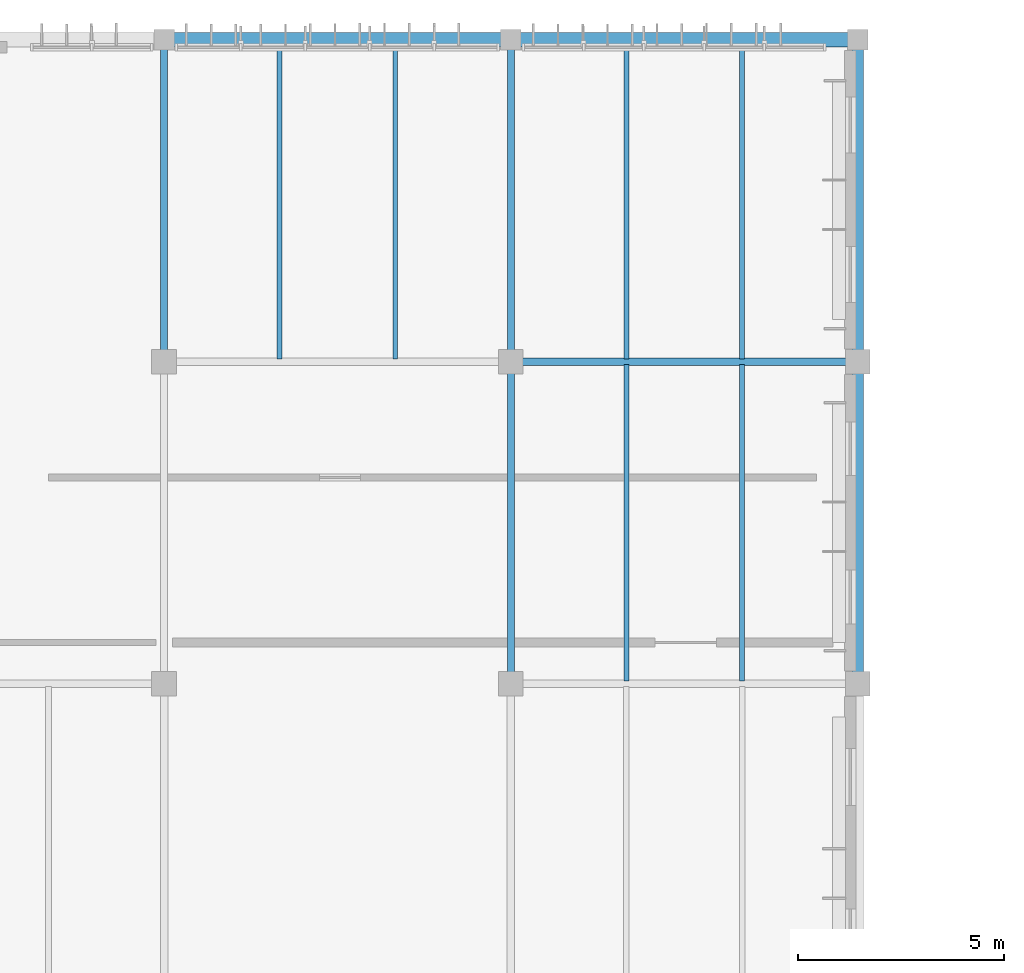
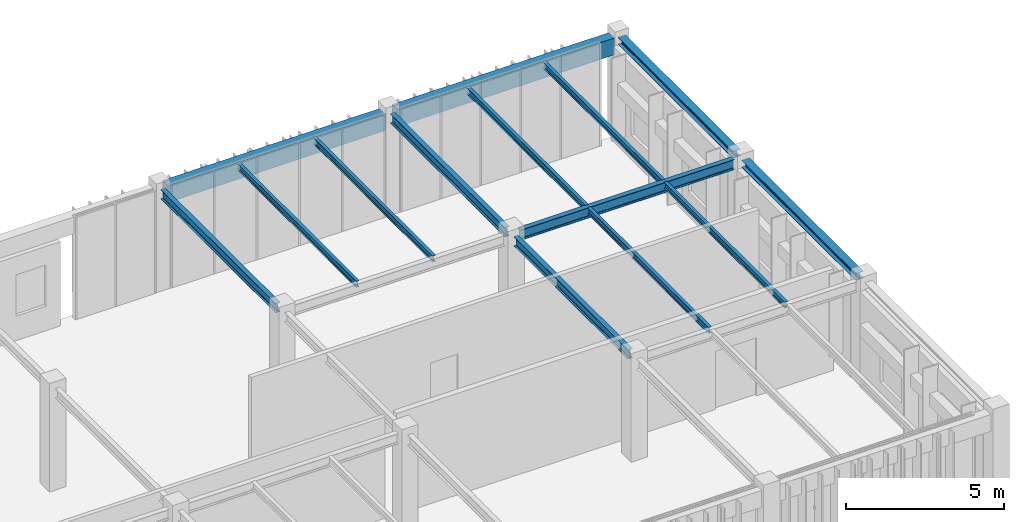
# One storey, part 16 of 104: 14 beams.
"""IFC4 building model written with IfcOpenShell, lengths in metres."""

from ifc_helpers import new_model, si_unit, direction, frame, origin, origin_2d, place, context, subcontext, project, spatial, rectangle, i_section, extrude, material, material_profile, profile_set, type_object, element, save


model = new_model("IFC4")

# Units and contexts
model_context = context("Model", 3, precision=1e-05, world=origin(), true_north=direction((0.0, 1.0)))
body_context = subcontext(model_context, "Body", "Model", "MODEL_VIEW")
ifc_project = project(units=[si_unit("LENGTHUNIT", "METRE"), si_unit("AREAUNIT", "SQUARE_METRE"), si_unit("VOLUMEUNIT", "CUBIC_METRE"), si_unit("PLANEANGLEUNIT", "RADIAN"), si_unit("MASSUNIT", "GRAM", prefix="KILO")], contexts=[model_context])

# Site, building, storey
site_placement = place(None, origin())
site = spatial("IfcSite", under=ifc_project, at=site_placement, CompositionType="ELEMENT")
building_placement = place(site_placement, origin())
building = spatial("IfcBuilding", under=site, at=building_placement, Name="Tazoul Stagehouse", CompositionType="ELEMENT")
storey_placement = place(building_placement, frame((0.0, 0.0, 9.0)))
storey = spatial("IfcBuildingStorey", under=building, at=storey_placement, Name="L02", CompositionType="ELEMENT", Elevation=9.0)

# Beams
ifc_material_1 = material(Name="Concrete C40/50", Category="concrete")
ifc_material_profile_1 = material_profile(ifc_material_1, rectangle(XDim=0.35009765625, YDim=0.64990234375, at=origin_2d()), Name="RC 350x650")
ifc_profile_set_1 = profile_set([ifc_material_profile_1], Name="Concrete C40/50")
beam_type_1 = type_object("IfcBeamType", Name="RC Perimeter Spandrel 350x650 (Exterior)", PredefinedType="SPANDREL", material=ifc_profile_set_1)
beam_1_placement = place(storey_placement, frame((134.02490234375, 111.800048828125, 3.60302734375), z_axis=(1.0, 0.0, 0.0), x_axis=(0.0, 1.0, 0.0)))
element("IfcBeam", 1, at=beam_1_placement, inside=storey, type_object=beam_type_1, Name="L02 Beam SP-01E R/20-21", PredefinedType="SPANDREL", context=body_context, shape_type="SweptSolid", body=[
    extrude(rectangle(XDim=0.35009765625, YDim=0.64990234375, at=origin_2d()), origin(), (0.0, 0.0, 1.0), 7.9501953125),
])
beam_2_placement = place(storey_placement, frame((142.425048828125, 111.800048828125, 3.60302734375), z_axis=(1.0, 0.0, 0.0), x_axis=(0.0, 1.0, 0.0)))
element("IfcBeam", 2, at=beam_2_placement, inside=storey, type_object=beam_type_1, Name="L02 Beam SP-01E R/21-22", PredefinedType="SPANDREL", context=body_context, shape_type="SweptSolid", body=[
    extrude(rectangle(XDim=0.35009765625, YDim=0.64990234375, at=origin_2d()), origin(), (0.0, 0.0, 1.0), 7.949951171875),
])
ifc_material_2 = material(Name="Steel S355", Category="steel")
ifc_material_profile_2 = material_profile(ifc_material_2, i_section(OverallWidth=0.280029296875, OverallDepth=0.27001953125, WebThickness=0.008056640625, FlangeThickness=0.012939453125, FilletRadius=0.02392578125, at=origin_2d()), Name="HEA 280")
ifc_profile_set_2 = profile_set([ifc_material_profile_2], Name="Steel S355")
beam_type_2 = type_object("IfcBeamType", Name="Steel Facade Spandrel HEA 280 (Exterior)", PredefinedType="SPANDREL", material=ifc_profile_set_2)
beam_3_placement = place(storey_placement, frame((150.60009765625, 96.47509765625, 3.822998046875), z_axis=(0.0, 1.0, 0.0), x_axis=(-1.0, 0.0, 0.0)))
element("IfcBeam", 3, at=beam_3_placement, inside=storey, type_object=beam_type_2, Name="L02 Beam SP-02E 22/P-Q", PredefinedType="SPANDREL", context=body_context, shape_type="SweptSolid", body=[
    extrude(i_section(OverallWidth=0.280029296875, OverallDepth=0.27001953125, WebThickness=0.008056640625, FlangeThickness=0.012939453125, FilletRadius=0.02392578125, at=origin_2d()), origin(), (0.0, 0.0, 1.0), 7.25),
])
beam_4_placement = place(storey_placement, frame((150.60009765625, 104.27490234375, 3.822998046875), z_axis=(0.0, 1.0, 0.0), x_axis=(-1.0, 0.0, 0.0)))
element("IfcBeam", 4, at=beam_4_placement, inside=storey, type_object=beam_type_2, Name="L02 Beam SP-02E 22/Q-R", PredefinedType="SPANDREL", context=body_context, shape_type="SweptSolid", body=[
    extrude(i_section(OverallWidth=0.280029296875, OverallDepth=0.27001953125, WebThickness=0.008056640625, FlangeThickness=0.012939453125, FilletRadius=0.02392578125, at=origin_2d()), origin(), (0.0, 0.0, 1.0), 7.300048828125),
])
ifc_material_profile_3 = material_profile(ifc_material_2, i_section(OverallWidth=0.1201171875, OverallDepth=0.239990234375, WebThickness=0.006103515625, FlangeThickness=0.009765625, FilletRadius=0.014892578125, at=origin_2d()), Name="IPE 240")
ifc_profile_set_3 = profile_set([ifc_material_profile_3], Name="Steel S355")
beam_type_3 = type_object("IfcBeamType", Name="Steel Floor Joist IPE 240", PredefinedType="JOIST", material=ifc_profile_set_3)
for number, where, z_axis, x_axis, name in (
    (5, (145.0, 96.264892578125, 3.80810546875), (0.0, 1.0, 0.0), (-1.0, 0.0, 0.0), "L02 Joist JS-01 21/P-1"),
    (6, (147.800048828125, 96.264892578125, 3.80810546875), (0.0, 1.0, 0.0), (-1.0, 0.0, 0.0), "L02 Joist JS-01 21/P-2"),
):
    element("IfcBeam", number, at=place(storey_placement, frame(where, z_axis=z_axis, x_axis=x_axis)), inside=storey, type_object=beam_type_3, Name=name, PredefinedType="JOIST", context=body_context, shape_type="SweptSolid", body=[
        extrude(i_section(OverallWidth=0.1201171875, OverallDepth=0.239990234375, WebThickness=0.006103515625, FlangeThickness=0.009765625, FilletRadius=0.014892578125, at=origin_2d()), origin(), (0.0, 0.0, 1.0), 7.670166015625),
    ])
for number, where, z_axis, x_axis, name in (
    (7, (136.60009765625, 104.06494140625, 3.80810546875), (0.0, 1.0, 0.0), (-1.0, 0.0, 0.0), "L02 Joist JS-01 20/Q-1"),
    (8, (139.39990234375, 104.06494140625, 3.80810546875), (0.0, 1.0, 0.0), (-1.0, 0.0, 0.0), "L02 Joist JS-01 20/Q-2"),
    (9, (145.0, 104.06494140625, 3.80810546875), (0.0, 1.0, 0.0), (-1.0, 0.0, 0.0), "L02 Joist JS-01 21/Q-1"),
    (10, (147.800048828125, 104.06494140625, 3.80810546875), (0.0, 1.0, 0.0), (-1.0, 0.0, 0.0), "L02 Joist JS-01 21/Q-2"),
):
    element("IfcBeam", number, at=place(storey_placement, frame(where, z_axis=z_axis, x_axis=x_axis)), inside=storey, type_object=beam_type_3, Name=name, PredefinedType="JOIST", context=body_context, shape_type="SweptSolid", body=[
        extrude(i_section(OverallWidth=0.1201171875, OverallDepth=0.239990234375, WebThickness=0.006103515625, FlangeThickness=0.009765625, FilletRadius=0.014892578125, at=origin_2d()), origin(), (0.0, 0.0, 1.0), 7.5849609375),
    ])
ifc_material_profile_4 = material_profile(ifc_material_2, i_section(OverallWidth=0.169921875, OverallDepth=0.360107421875, WebThickness=0.008056640625, FlangeThickness=0.0126953125, FilletRadius=0.01806640625, at=origin_2d()), Name="IPE 360")
ifc_profile_set_4 = profile_set([ifc_material_profile_4], Name="Steel S355")
beam_type_4 = type_object("IfcBeamType", Name="Steel Primary Girder IPE 360", PredefinedType="BEAM", material=ifc_profile_set_4)
beam_5_placement = place(storey_placement, frame((133.800048828125, 104.27490234375, 3.748046875), z_axis=(0.0, 1.0, 0.0), x_axis=(-1.0, 0.0, 0.0)))
element("IfcBeam", 11, at=beam_5_placement, inside=storey, type_object=beam_type_4, Name="L02 Beam SB-01 20/Q-R", PredefinedType="BEAM", context=body_context, shape_type="SweptSolid", body=[
    extrude(i_section(OverallWidth=0.169921875, OverallDepth=0.360107421875, WebThickness=0.008056640625, FlangeThickness=0.0126953125, FilletRadius=0.01806640625, at=origin_2d()), origin(), (0.0, 0.0, 1.0), 7.300048828125),
])
beam_6_placement = place(storey_placement, frame((142.199951171875, 96.47509765625, 3.748046875), z_axis=(0.0, 1.0, 0.0), x_axis=(-1.0, 0.0, 0.0)))
element("IfcBeam", 12, at=beam_6_placement, inside=storey, type_object=beam_type_4, Name="L02 Beam SB-01 21/P-Q", PredefinedType="BEAM", context=body_context, shape_type="SweptSolid", body=[
    extrude(i_section(OverallWidth=0.169921875, OverallDepth=0.360107421875, WebThickness=0.008056640625, FlangeThickness=0.0126953125, FilletRadius=0.01806640625, at=origin_2d()), origin(), (0.0, 0.0, 1.0), 7.25),
])
beam_7_placement = place(storey_placement, frame((142.199951171875, 104.27490234375, 3.748046875), z_axis=(0.0, 1.0, 0.0), x_axis=(-1.0, 0.0, 0.0)))
element("IfcBeam", 13, at=beam_7_placement, inside=storey, type_object=beam_type_4, Name="L02 Beam SB-01 21/Q-R", PredefinedType="BEAM", context=body_context, shape_type="SweptSolid", body=[
    extrude(i_section(OverallWidth=0.169921875, OverallDepth=0.360107421875, WebThickness=0.008056640625, FlangeThickness=0.0126953125, FilletRadius=0.01806640625, at=origin_2d()), origin(), (0.0, 0.0, 1.0), 7.300048828125),
])
ifc_material_profile_5 = material_profile(ifc_material_2, i_section(OverallWidth=0.179931640625, OverallDepth=0.39990234375, WebThickness=0.008544921875, FlangeThickness=0.013427734375, FilletRadius=0.02099609375, at=origin_2d()), Name="IPE 400")
ifc_profile_set_5 = profile_set([ifc_material_profile_5], Name="Steel S355")
beam_type_5 = type_object("IfcBeamType", Name="Steel Primary Girder IPE 400", PredefinedType="BEAM", material=ifc_profile_set_5)
beam_8_placement = place(storey_placement, frame((142.47509765625, 104.0, 3.72802734375), z_axis=(1.0, 0.0, 0.0), x_axis=(0.0, 1.0, 0.0)))
element("IfcBeam", 14, at=beam_8_placement, inside=storey, type_object=beam_type_5, Name="L02 Beam SB-02 Q/21-22", PredefinedType="BEAM", context=body_context, shape_type="SweptSolid", body=[
    extrude(i_section(OverallWidth=0.179931640625, OverallDepth=0.39990234375, WebThickness=0.008544921875, FlangeThickness=0.013427734375, FilletRadius=0.02099609375, at=origin_2d()), origin(), (0.0, 0.0, 1.0), 7.849853515625),
])

save(model, "model.ifc")
